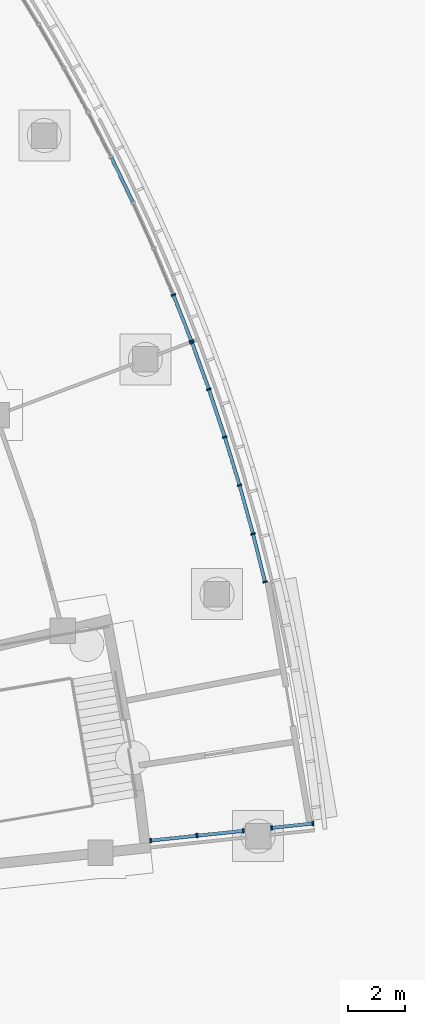
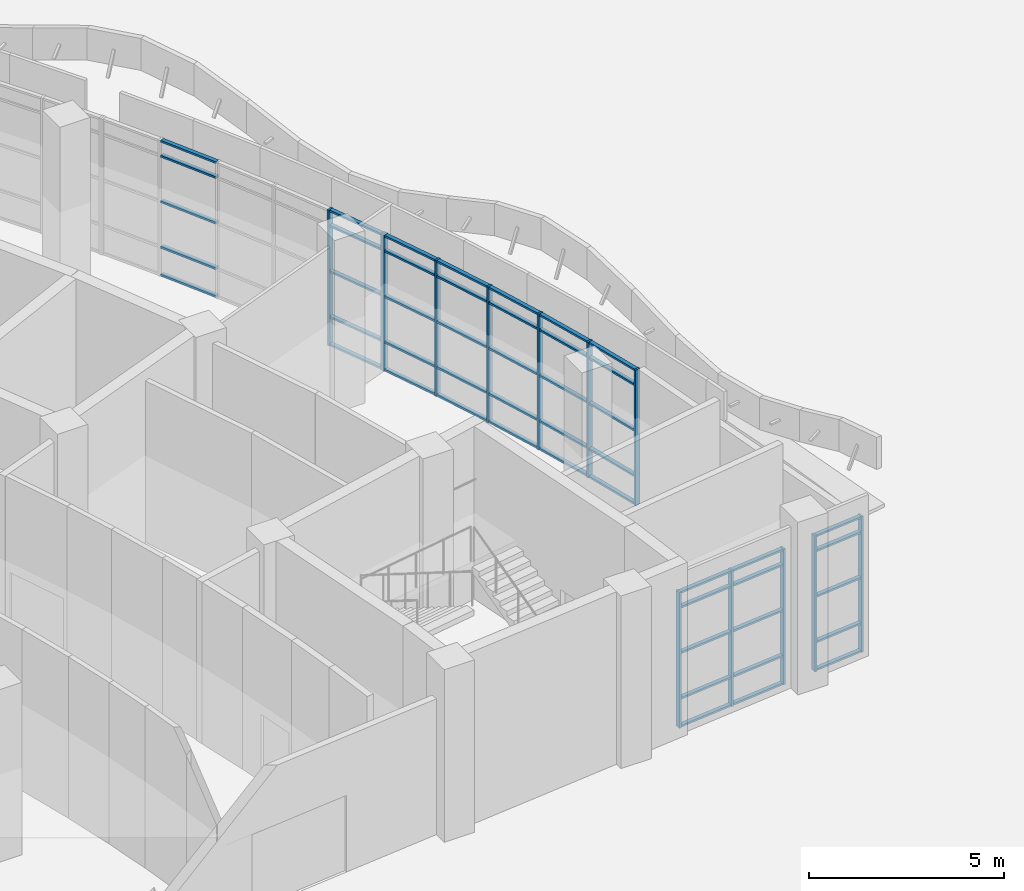
# One storey, part 33 of 146: 63 members, 4 elements without a shape of their own.
"""IFC4 building model written with IfcOpenShell, lengths in metres."""

import ifcopenshell
import ifcopenshell.guid

model = None  # the IFC model being written
_history = None  # IfcOwnerHistory: only IFC2X3 demands one
_inside = {}  # id of a spatial element -> (the spatial element, [elements in it])
_under = {}  # id of a project, library or spatial element -> (it, [spatial elements below it])
_declared = {}  # id of a project -> (the project, [libraries it declares])
_typed = {}  # id of a type object -> (the type object, [elements of that type])
_made_of = {}  # id of a material, layer set ... -> (it, [elements and type objects made of it])


def new_model(schema):
    """Start an empty IFC model of exactly this schema.

    Asked for "IFC4X3", IfcOpenShell would pick the latest addendum, in which some entities
    have other attributes; the version numbers below select the first issue.
    IFC2X3 requires an IfcOwnerHistory on every rooted entity: one is made here for all.
    """
    global model, _history
    if schema == "IFC4X3":
        model = ifcopenshell.file(schema_version=(4, 3, 0, 0))
    else:
        model = ifcopenshell.file(schema=schema)
    _inside.clear()
    _under.clear()
    _declared.clear()
    _typed.clear()
    _made_of.clear()
    _history = None
    if model.schema == "IFC2X3":
        org = make("IfcOrganization", Name="unknown")
        user = make(
            "IfcPersonAndOrganization",
            ThePerson=make("IfcPerson", FamilyName="unknown"),
            TheOrganization=org,
        )
        app = make(
            "IfcApplication",
            ApplicationDeveloper=org,
            Version="unknown",
            ApplicationFullName="unknown",
            ApplicationIdentifier="unknown",
        )
        _history = make(
            "IfcOwnerHistory",
            OwningUser=user,
            OwningApplication=app,
            ChangeAction="ADDED",
            CreationDate=0,
        )
    return model


def make(cls, **values):
    """One entity of the class cls with the attributes given. An attribute that is None is left unset."""
    return model.create_entity(
        cls, **{name: value for name, value in values.items() if value is not None}
    )


def rooted(cls, **values):
    """An entity with a GlobalId (a new one), such as an element, a storey or a relation."""
    return make(cls, GlobalId=ifcopenshell.guid.new(), OwnerHistory=_history, **values)


def si_unit(unit_type, name, prefix=None):
    """IfcSIUnit, for example si_unit("LENGTHUNIT", "METRE", prefix="MILLI")."""
    return make("IfcSIUnit", UnitType=unit_type, Prefix=prefix, Name=name)


def assignment(units):
    """IfcUnitAssignment: the units of a project."""
    return None if units is None else make("IfcUnitAssignment", Units=units)


def point(xyz):
    """IfcCartesianPoint."""
    return None if xyz is None else make("IfcCartesianPoint", Coordinates=xyz)


def direction(xyz):
    """IfcDirection."""
    return None if xyz is None else make("IfcDirection", DirectionRatios=xyz)


def frame(location, z_axis=None, x_axis=None):
    """IfcAxis2Placement3D, a coordinate frame: its origin and axes. An axis left out is left unset."""
    return make(
        "IfcAxis2Placement3D",
        Location=point(location),
        Axis=direction(z_axis),
        RefDirection=direction(x_axis),
    )


def frame_2d(location, x_axis=None):
    """IfcAxis2Placement2D, a coordinate frame in the plane: its origin and x axis."""
    return make(
        "IfcAxis2Placement2D", Location=point(location), RefDirection=direction(x_axis)
    )


def origin():
    """The frame at (0, 0, 0) with its axes left unset."""
    return frame((0.0, 0.0, 0.0))


def origin_2d():
    """The frame at (0, 0) in the plane with its x axis left unset."""
    return frame_2d((0.0, 0.0))


def place(relative_to, where):
    """IfcLocalPlacement: puts the frame where relative to a parent placement (None: the world)."""
    return make(
        "IfcLocalPlacement", PlacementRelTo=relative_to, RelativePlacement=where
    )


def context(
    kind, dimensions, precision=None, world=None, true_north=None, identifier=None
):
    """IfcGeometricRepresentationContext, for example the 3D "Model" context."""
    return make(
        "IfcGeometricRepresentationContext",
        ContextIdentifier=identifier,
        ContextType=kind,
        CoordinateSpaceDimension=dimensions,
        Precision=precision,
        WorldCoordinateSystem=world,
        TrueNorth=true_north,
    )


def subcontext(parent, identifier, kind, view, scale=None):
    """IfcGeometricRepresentationSubContext, for example "Body" below "Model"."""
    return make(
        "IfcGeometricRepresentationSubContext",
        ContextIdentifier=identifier,
        ContextType=kind,
        ParentContext=parent,
        TargetScale=scale,
        TargetView=view,
    )


def project(units=None, contexts=None):
    """IfcProject with its units and contexts."""
    return rooted(
        "IfcProject",
        Name="project",
        RepresentationContexts=contexts,
        UnitsInContext=assignment(units),
    )


def spatial(cls, under=None, at=None, **own):
    """A site, building, storey or space (cls), placed at a placement, below another one or the project."""
    s = rooted(cls, ObjectPlacement=at, **own)
    if under is not None:
        _under.setdefault(under.id(), (under, []))[1].append(s)
    return s


def profile(cls, at=None, kind="AREA", **sizes):
    """A parametric profile (cls). Its sizes go by their IFC names, for example OverallWidth=200.0."""
    return make(cls, ProfileType=kind, Position=at, **sizes)


def rectangle(**sizes):
    """IfcRectangleProfileDef."""
    return profile("IfcRectangleProfileDef", **sizes)


def extrude(swept, where, along, depth):
    """IfcExtrudedAreaSolid: the profile swept, set in the frame where, extruded along a direction by depth."""
    return make(
        "IfcExtrudedAreaSolid",
        SweptArea=swept,
        Position=where,
        ExtrudedDirection=direction(along),
        Depth=depth,
    )


def shape(context_of_items, identifier, shape_type, items):
    """IfcShapeRepresentation: the items that make up one representation, for example the "Body"."""
    return make(
        "IfcShapeRepresentation",
        ContextOfItems=context_of_items,
        RepresentationIdentifier=identifier,
        RepresentationType=shape_type,
        Items=items,
    )


def material(Name=None, Category=None):
    """IfcMaterial."""
    return make("IfcMaterial", Name=Name, Category=Category)


def material_profile(
    of_material, cross_section, Name=None, Category=None, Priority=None
):
    """IfcMaterialProfile: a cross section and its material."""
    return make(
        "IfcMaterialProfile",
        Name=Name,
        Material=of_material,
        Profile=cross_section,
        Priority=Priority,
        Category=Category,
    )


def profile_set(profiles, Name=None, composite=None):
    """IfcMaterialProfileSet."""
    return make(
        "IfcMaterialProfileSet",
        Name=Name,
        MaterialProfiles=profiles,
        CompositeProfile=composite,
    )


def made_of(thing, what):
    """Note that an element or type object is made of a material, layer set ...; save() writes the relation."""
    if what is not None:
        _made_of.setdefault(what.id(), (what, []))[1].append(thing)
    return thing


def type_object(cls, material=None, **own):
    """A type object (cls), such as IfcWallType, which elements share."""
    return made_of(rooted(cls, **own), material)


def element(
    cls,
    number,
    at=None,
    inside=None,
    cuts=None,
    type_object=None,
    material=None,
    context=None,
    identifier="Body",
    shape_type=None,
    held_by="IfcProductDefinitionShape",
    body=None,
    shapes=None,
    **own,
):
    """One element of the class cls, such as IfcWall. Its Tag is "e" and its number.

    at: its placement. inside: the storey or other place that contains it. cuts: it is an
    opening in that element (IfcRelVoidsElement). A single representation is given by context,
    identifier, shape_type and body (its items); several are given by shapes. held_by: the class
    of the entity that holds the representations. save() writes the other relations.
    """
    e = rooted(cls, Tag="e%d" % number, ObjectPlacement=at, **own)
    if body is not None:
        shapes = [shape(context, identifier, shape_type, body)]
    if shapes is not None:
        e.Representation = make(held_by, Representations=shapes)
    if inside is not None:
        _inside.setdefault(inside.id(), (inside, []))[1].append(e)
    if cuts is not None:
        rooted(
            "IfcRelVoidsElement", RelatingBuildingElement=cuts, RelatedOpeningElement=e
        )
    if type_object is not None:
        _typed.setdefault(type_object.id(), (type_object, []))[1].append(e)
    return made_of(e, material)


def aggregate(whole, parts):
    """IfcRelAggregates: a whole, such as a stair, and the parts it consists of."""
    return rooted("IfcRelAggregates", RelatingObject=whole, RelatedObjects=parts)


def save(model, path):
    """Write the relations noted so far, then the file.

    IfcRelAggregates (storeys below a building ...), IfcRelContainedInSpatialStructure (elements
    in a storey), IfcRelDefinesByType, IfcRelAssociatesMaterial and IfcRelDeclares: one each for
    every whole, place, type object, material and project.
    """
    for whole, parts in _under.values():
        aggregate(whole, parts)
    for where, things in _inside.values():
        rooted(
            "IfcRelContainedInSpatialStructure",
            RelatedElements=things,
            RelatingStructure=where,
        )
    for kind, things in _typed.values():
        rooted("IfcRelDefinesByType", RelatedObjects=things, RelatingType=kind)
    for what, things in _made_of.values():
        rooted("IfcRelAssociatesMaterial", RelatedObjects=things, RelatingMaterial=what)
    for by, libraries in _declared.values():
        rooted("IfcRelDeclares", RelatingContext=by, RelatedDefinitions=libraries)
    model.write(path)


model = new_model("IFC4")

# Units and contexts
model_context = context("Model", 3, precision=1e-05, world=origin(), true_north=direction((0.0, 1.0)))
body_context = subcontext(model_context, "Body", "Model", "MODEL_VIEW")
ifc_project = project(units=[si_unit("LENGTHUNIT", "METRE"), si_unit("AREAUNIT", "SQUARE_METRE"), si_unit("VOLUMEUNIT", "CUBIC_METRE"), si_unit("PLANEANGLEUNIT", "RADIAN"), si_unit("MASSUNIT", "GRAM", prefix="KILO")], contexts=[model_context])

# Site, building, storey
site_placement = place(None, origin())
site = spatial("IfcSite", under=ifc_project, at=site_placement, CompositionType="ELEMENT")
building_placement = place(site_placement, origin())
building = spatial("IfcBuilding", under=site, at=building_placement, Name="Bougainvillea Quay General Hospital", CompositionType="ELEMENT")
storey_placement = place(building_placement, origin())
storey = spatial("IfcBuildingStorey", under=building, at=storey_placement, Name="L00", CompositionType="ELEMENT", Elevation=0.0)

# Curtain wall, members
ifc_material_1 = material(Name="Aluminium curtain wall system, powder-coated glazed", Category="aluminium")
curtain_wall_type_1 = type_object("IfcCurtainWallType", Name="Unitised curtain wall CW-1678", PredefinedType="NOTDEFINED", material=ifc_material_1)
curtain_wall_1_placement = place(storey_placement, origin())
curtain_wall_1 = element("IfcCurtainWall", 1, at=curtain_wall_1_placement, inside=storey, type_object=curtain_wall_type_1, Name="CW-AE 04", PredefinedType="NOTDEFINED")
ifc_material_2 = material(Name="Aluminium mullion, powder-coated charcoal", Category="aluminium")
ifc_material_profile_1 = material_profile(ifc_material_2, rectangle(XDim=0.159912109375, YDim=0.06005859375, at=origin_2d()))
ifc_profile_set_1 = profile_set([ifc_material_profile_1], Name="Aluminium mullion, powder-coated charcoal")
member_type_1 = type_object("IfcMemberType", Name="Curtain wall mullion 160x60", PredefinedType="MULLION", material=ifc_profile_set_1)
member_1_placement = place(storey_placement, frame((173.027099609375, 28.9599609375, 0.0), z_axis=(0.0, 0.0, 1.0), x_axis=(-0.104527173765, 0.9945220309, 0.0)))
member_1 = element("IfcMember", 2, at=member_1_placement, type_object=member_type_1, Name="CW-AE mullion 1", PredefinedType="MULLION", context=body_context, shape_type="SweptSolid", body=[
    extrude(rectangle(XDim=0.159912109375, YDim=0.06005859375, at=origin_2d()), origin(), (0.0, 0.0, 1.0), 4.25),
])
member_2_placement = place(storey_placement, frame((174.665771484375, 29.132080078125, 0.0), z_axis=(0.0, 0.0, 1.0), x_axis=(-0.104527173765, 0.9945220309, 0.0)))
member_2 = element("IfcMember", 3, at=member_2_placement, type_object=member_type_1, Name="CW-AE mullion 2", PredefinedType="MULLION", context=body_context, shape_type="SweptSolid", body=[
    extrude(rectangle(XDim=0.159912109375, YDim=0.06005859375, at=origin_2d()), origin(), (0.0, 0.0, 1.0), 4.25),
])
member_3_placement = place(storey_placement, frame((176.30419921875, 29.30419921875, 0.0), z_axis=(0.0, 0.0, 1.0), x_axis=(-0.104527173765, 0.9945220309, 0.0)))
member_3 = element("IfcMember", 4, at=member_3_placement, type_object=member_type_1, Name="CW-AE mullion 3", PredefinedType="MULLION", context=body_context, shape_type="SweptSolid", body=[
    extrude(rectangle(XDim=0.159912109375, YDim=0.06005859375, at=origin_2d()), origin(), (0.0, 0.0, 1.0), 4.25),
])

curtain_wall_type_2 = type_object("IfcCurtainWallType", Name="Unitised curtain wall CW-1531", PredefinedType="NOTDEFINED", material=ifc_material_1)
curtain_wall_2_placement = place(storey_placement, origin())
curtain_wall_2 = element("IfcCurtainWall", 5, at=curtain_wall_2_placement, inside=storey, type_object=curtain_wall_type_2, Name="CW-AE 05", PredefinedType="NOTDEFINED")
member_4_placement = place(storey_placement, frame((177.298583984375, 29.40869140625, 0.0), z_axis=(0.0, 0.0, 1.0), x_axis=(-0.104527173765, 0.9945220309, 0.0)))
member_4 = element("IfcMember", 6, at=member_4_placement, type_object=member_type_1, Name="CW-AE mullion 1", PredefinedType="MULLION", context=body_context, shape_type="SweptSolid", body=[
    extrude(rectangle(XDim=0.159912109375, YDim=0.06005859375, at=origin_2d()), origin(), (0.0, 0.0, 1.0), 4.25),
])
member_5_placement = place(storey_placement, frame((178.760986328125, 29.5625, 0.0), z_axis=(0.0, 0.0, 1.0), x_axis=(-0.104527173765, 0.9945220309, 0.0)))
member_5 = element("IfcMember", 7, at=member_5_placement, type_object=member_type_1, Name="CW-AE mullion 2", PredefinedType="MULLION", context=body_context, shape_type="SweptSolid", body=[
    extrude(rectangle(XDim=0.159912109375, YDim=0.06005859375, at=origin_2d()), origin(), (0.0, 0.0, 1.0), 4.25),
])

curtain_wall_type_3 = type_object("IfcCurtainWallType", Name="Unitised curtain wall CW-2100", PredefinedType="NOTDEFINED", material=ifc_material_1)
curtain_wall_3_placement = place(storey_placement, origin())
curtain_wall_3 = element("IfcCurtainWall", 8, at=curtain_wall_3_placement, inside=storey, type_object=curtain_wall_type_3, Name="CW-E06 a23b5", PredefinedType="NOTDEFINED")
member_6_placement = place(storey_placement, frame((173.830078125, 48.23095703125, 0.0), z_axis=(0.0, 0.0, 1.0), x_axis=(0.926591654846, 0.376069016497, 0.0)))
member_6 = element("IfcMember", 9, at=member_6_placement, type_object=member_type_1, Name="CW-E06 mullion 5", PredefinedType="MULLION", context=body_context, shape_type="SweptSolid", body=[
    extrude(rectangle(XDim=0.159912109375, YDim=0.06005859375, at=origin_2d()), origin(), (0.0, 0.0, 1.0), 4.25),
])
member_7_placement = place(storey_placement, frame((174.4677734375, 46.60107421875, 0.0), z_axis=(0.0, 0.0, 1.0), x_axis=(0.931315406472, 0.364213692311, 0.0)))
member_7 = element("IfcMember", 10, at=member_7_placement, type_object=member_type_1, Name="CW-E06 mullion 6", PredefinedType="MULLION", context=body_context, shape_type="SweptSolid", body=[
    extrude(rectangle(XDim=0.159912109375, YDim=0.06005859375, at=origin_2d()), origin(), (0.0, 0.0, 1.0), 4.25),
])

curtain_wall_4_placement = place(storey_placement, origin())
curtain_wall_4 = element("IfcCurtainWall", 11, at=curtain_wall_4_placement, inside=storey, type_object=curtain_wall_type_3, Name="CW-E07 a23b6", PredefinedType="NOTDEFINED")
member_8_placement = place(storey_placement, frame((174.48876953125, 46.544921875, 0.0), z_axis=(0.0, 0.0, 1.0), x_axis=(0.940307135924, 0.340327034086, 0.0)))
member_8 = element("IfcMember", 12, at=member_8_placement, type_object=member_type_1, Name="CW-E07 mullion 1", PredefinedType="MULLION", context=body_context, shape_type="SweptSolid", body=[
    extrude(rectangle(XDim=0.159912109375, YDim=0.06005859375, at=origin_2d()), origin(), (0.0, 0.0, 1.0), 4.25),
])
member_9_placement = place(storey_placement, frame((175.08447265625, 44.899169921875, 0.0), z_axis=(0.0, 0.0, 1.0), x_axis=(0.944573649334, 0.328299590289, 0.0)))
member_9 = element("IfcMember", 13, at=member_9_placement, type_object=member_type_1, Name="CW-E07 mullion 2", PredefinedType="MULLION", context=body_context, shape_type="SweptSolid", body=[
    extrude(rectangle(XDim=0.159912109375, YDim=0.06005859375, at=origin_2d()), origin(), (0.0, 0.0, 1.0), 4.25),
])
member_10_placement = place(storey_placement, frame((175.6474609375, 43.210205078125, 0.0), z_axis=(0.0, 0.0, 1.0), x_axis=(0.952644499358, 0.304086267106, 0.0)))
member_10 = element("IfcMember", 14, at=member_10_placement, type_object=member_type_1, Name="CW-E07 mullion 3", PredefinedType="MULLION", context=body_context, shape_type="SweptSolid", body=[
    extrude(rectangle(XDim=0.159912109375, YDim=0.06005859375, at=origin_2d()), origin(), (0.0, 0.0, 1.0), 4.25),
])
member_11_placement = place(storey_placement, frame((176.1669921875, 41.507568359375, 0.0), z_axis=(0.0, 0.0, 1.0), x_axis=(0.960094774236, 0.27967485494, 0.0)))
member_11 = element("IfcMember", 15, at=member_11_placement, type_object=member_type_1, Name="CW-E07 mullion 4", PredefinedType="MULLION", context=body_context, shape_type="SweptSolid", body=[
    extrude(rectangle(XDim=0.159912109375, YDim=0.06005859375, at=origin_2d()), origin(), (0.0, 0.0, 1.0), 4.25),
])
member_12_placement = place(storey_placement, frame((176.64306640625, 39.7919921875, 0.0), z_axis=(0.0, 0.0, 1.0), x_axis=(0.966919620681, 0.255081255962, 0.0)))
member_12 = element("IfcMember", 16, at=member_12_placement, type_object=member_type_1, Name="CW-E07 mullion 5", PredefinedType="MULLION", context=body_context, shape_type="SweptSolid", body=[
    extrude(rectangle(XDim=0.159912109375, YDim=0.06005859375, at=origin_2d()), origin(), (0.0, 0.0, 1.0), 4.25),
])
member_13_placement = place(storey_placement, frame((177.06787109375, 38.09423828125, 0.0), z_axis=(0.0, 0.0, 1.0), x_axis=(0.970096102912, 0.242721138583, 0.0)))
member_13 = element("IfcMember", 17, at=member_13_placement, type_object=member_type_1, Name="CW-E07 mullion 6", PredefinedType="MULLION", context=body_context, shape_type="SweptSolid", body=[
    extrude(rectangle(XDim=0.159912109375, YDim=0.06005859375, at=origin_2d()), origin(), (0.0, 0.0, 1.0), 4.25),
])

# Member
ifc_material_3 = material(Name="Aluminium transom, powder-coated charcoal", Category="aluminium")
ifc_material_profile_2 = material_profile(ifc_material_3, rectangle(XDim=0.1201171875, YDim=0.06005859375, at=origin_2d()))
ifc_profile_set_2 = profile_set([ifc_material_profile_2], Name="Aluminium transom, powder-coated charcoal")
member_type_2 = type_object("IfcMemberType", Name="Curtain wall transom 120x60", PredefinedType="USERDEFINED", material=ifc_profile_set_2)
member_14_placement = place(storey_placement, frame((173.05712890625, 28.962890625, 0.030029296875), z_axis=(0.994515561612, 0.104588707377, 0.0), x_axis=(-0.104588707377, 0.994515561612, 0.0)))
member_14 = element("IfcMember", 18, at=member_14_placement, type_object=member_type_2, Name="CW-AE transom 1.1", ObjectType="TRANSOM", PredefinedType="USERDEFINED", context=body_context, shape_type="SweptSolid", body=[
    extrude(rectangle(XDim=0.1201171875, YDim=0.06005859375, at=origin_2d()), origin(), (0.0, 0.0, 1.0), 1.58740234375),
])

member_15_placement = place(storey_placement, frame((173.05712890625, 28.962890625, 0.89990234375), z_axis=(0.994515561612, 0.104588707377, 0.0), x_axis=(-0.104588707377, 0.994515561612, 0.0)))
member_15 = element("IfcMember", 19, at=member_15_placement, type_object=member_type_2, Name="CW-AE transom 1.2", ObjectType="TRANSOM", PredefinedType="USERDEFINED", context=body_context, shape_type="SweptSolid", body=[
    extrude(rectangle(XDim=0.1201171875, YDim=0.06005859375, at=origin_2d()), origin(), (0.0, 0.0, 1.0), 1.58740234375),
])

member_16_placement = place(storey_placement, frame((173.05712890625, 28.962890625, 2.324951171875), z_axis=(0.994515561612, 0.104588707377, 0.0), x_axis=(-0.104588707377, 0.994515561612, 0.0)))
member_16 = element("IfcMember", 20, at=member_16_placement, type_object=member_type_2, Name="CW-AE transom 1.3", ObjectType="TRANSOM", PredefinedType="USERDEFINED", context=body_context, shape_type="SweptSolid", body=[
    extrude(rectangle(XDim=0.1201171875, YDim=0.06005859375, at=origin_2d()), origin(), (0.0, 0.0, 1.0), 1.58740234375),
])

member_17_placement = place(storey_placement, frame((173.05712890625, 28.962890625, 3.75), z_axis=(0.994515561612, 0.104588707377, 0.0), x_axis=(-0.104588707377, 0.994515561612, 0.0)))
member_17 = element("IfcMember", 21, at=member_17_placement, type_object=member_type_2, Name="CW-AE transom 1.4", ObjectType="TRANSOM", PredefinedType="USERDEFINED", context=body_context, shape_type="SweptSolid", body=[
    extrude(rectangle(XDim=0.1201171875, YDim=0.06005859375, at=origin_2d()), origin(), (0.0, 0.0, 1.0), 1.58740234375),
])

member_18_placement = place(storey_placement, frame((173.05712890625, 28.962890625, 4.219970703125), z_axis=(0.994515561612, 0.104588707377, 0.0), x_axis=(-0.104588707377, 0.994515561612, 0.0)))
member_18 = element("IfcMember", 22, at=member_18_placement, type_object=member_type_2, Name="CW-AE transom 1.5", ObjectType="TRANSOM", PredefinedType="USERDEFINED", context=body_context, shape_type="SweptSolid", body=[
    extrude(rectangle(XDim=0.1201171875, YDim=0.06005859375, at=origin_2d()), origin(), (0.0, 0.0, 1.0), 1.58740234375),
])

member_19_placement = place(storey_placement, frame((174.695556640625, 29.13525390625, 0.030029296875), z_axis=(0.994533225691, 0.104420606192, 0.0), x_axis=(-0.104420606192, 0.994533225691, 0.0)))
member_19 = element("IfcMember", 23, at=member_19_placement, type_object=member_type_2, Name="CW-AE transom 2.1", ObjectType="TRANSOM", PredefinedType="USERDEFINED", context=body_context, shape_type="SweptSolid", body=[
    extrude(rectangle(XDim=0.1201171875, YDim=0.06005859375, at=origin_2d()), origin(), (0.0, 0.0, 1.0), 1.587646484375),
])

member_20_placement = place(storey_placement, frame((174.695556640625, 29.13525390625, 0.89990234375), z_axis=(0.994533225691, 0.104420606192, 0.0), x_axis=(-0.104420606192, 0.994533225691, 0.0)))
member_20 = element("IfcMember", 24, at=member_20_placement, type_object=member_type_2, Name="CW-AE transom 2.2", ObjectType="TRANSOM", PredefinedType="USERDEFINED", context=body_context, shape_type="SweptSolid", body=[
    extrude(rectangle(XDim=0.1201171875, YDim=0.06005859375, at=origin_2d()), origin(), (0.0, 0.0, 1.0), 1.587646484375),
])

member_21_placement = place(storey_placement, frame((174.695556640625, 29.13525390625, 2.324951171875), z_axis=(0.994533225691, 0.104420606192, 0.0), x_axis=(-0.104420606192, 0.994533225691, 0.0)))
member_21 = element("IfcMember", 25, at=member_21_placement, type_object=member_type_2, Name="CW-AE transom 2.3", ObjectType="TRANSOM", PredefinedType="USERDEFINED", context=body_context, shape_type="SweptSolid", body=[
    extrude(rectangle(XDim=0.1201171875, YDim=0.06005859375, at=origin_2d()), origin(), (0.0, 0.0, 1.0), 1.587646484375),
])

member_22_placement = place(storey_placement, frame((174.695556640625, 29.13525390625, 3.75), z_axis=(0.994533225691, 0.104420606192, 0.0), x_axis=(-0.104420606192, 0.994533225691, 0.0)))
member_22 = element("IfcMember", 26, at=member_22_placement, type_object=member_type_2, Name="CW-AE transom 2.4", ObjectType="TRANSOM", PredefinedType="USERDEFINED", context=body_context, shape_type="SweptSolid", body=[
    extrude(rectangle(XDim=0.1201171875, YDim=0.06005859375, at=origin_2d()), origin(), (0.0, 0.0, 1.0), 1.587646484375),
])

member_23_placement = place(storey_placement, frame((174.695556640625, 29.13525390625, 4.219970703125), z_axis=(0.994533225691, 0.104420606192, 0.0), x_axis=(-0.104420606192, 0.994533225691, 0.0)))
member_23 = element("IfcMember", 27, at=member_23_placement, type_object=member_type_2, Name="CW-AE transom 2.5", ObjectType="TRANSOM", PredefinedType="USERDEFINED", context=body_context, shape_type="SweptSolid", body=[
    extrude(rectangle(XDim=0.1201171875, YDim=0.06005859375, at=origin_2d()), origin(), (0.0, 0.0, 1.0), 1.587646484375),
])

aggregate(curtain_wall_1, [member_1, member_2, member_3, member_14, member_15, member_16, member_17, member_18, member_19, member_20, member_21, member_22, member_23])

member_24_placement = place(storey_placement, frame((177.32861328125, 29.411865234375, 0.030029296875), z_axis=(0.994518724615, 0.104558626574, 0.0), x_axis=(-0.104558626574, 0.994518724615, 0.0)))
member_24 = element("IfcMember", 28, at=member_24_placement, type_object=member_type_2, Name="CW-AE transom 1.1", ObjectType="TRANSOM", PredefinedType="USERDEFINED", context=body_context, shape_type="SweptSolid", body=[
    extrude(rectangle(XDim=0.1201171875, YDim=0.06005859375, at=origin_2d()), origin(), (0.0, 0.0, 1.0), 1.410400390625),
])

member_25_placement = place(storey_placement, frame((177.32861328125, 29.411865234375, 0.89990234375), z_axis=(0.994518724615, 0.104558626574, 0.0), x_axis=(-0.104558626574, 0.994518724615, 0.0)))
member_25 = element("IfcMember", 29, at=member_25_placement, type_object=member_type_2, Name="CW-AE transom 1.2", ObjectType="TRANSOM", PredefinedType="USERDEFINED", context=body_context, shape_type="SweptSolid", body=[
    extrude(rectangle(XDim=0.1201171875, YDim=0.06005859375, at=origin_2d()), origin(), (0.0, 0.0, 1.0), 1.410400390625),
])

member_26_placement = place(storey_placement, frame((177.32861328125, 29.411865234375, 2.324951171875), z_axis=(0.994518724615, 0.104558626574, 0.0), x_axis=(-0.104558626574, 0.994518724615, 0.0)))
member_26 = element("IfcMember", 30, at=member_26_placement, type_object=member_type_2, Name="CW-AE transom 1.3", ObjectType="TRANSOM", PredefinedType="USERDEFINED", context=body_context, shape_type="SweptSolid", body=[
    extrude(rectangle(XDim=0.1201171875, YDim=0.06005859375, at=origin_2d()), origin(), (0.0, 0.0, 1.0), 1.410400390625),
])

member_27_placement = place(storey_placement, frame((177.32861328125, 29.411865234375, 3.75), z_axis=(0.994518724615, 0.104558626574, 0.0), x_axis=(-0.104558626574, 0.994518724615, 0.0)))
member_27 = element("IfcMember", 31, at=member_27_placement, type_object=member_type_2, Name="CW-AE transom 1.4", ObjectType="TRANSOM", PredefinedType="USERDEFINED", context=body_context, shape_type="SweptSolid", body=[
    extrude(rectangle(XDim=0.1201171875, YDim=0.06005859375, at=origin_2d()), origin(), (0.0, 0.0, 1.0), 1.410400390625),
])

member_28_placement = place(storey_placement, frame((177.32861328125, 29.411865234375, 4.219970703125), z_axis=(0.994518724615, 0.104558626574, 0.0), x_axis=(-0.104558626574, 0.994518724615, 0.0)))
member_28 = element("IfcMember", 32, at=member_28_placement, type_object=member_type_2, Name="CW-AE transom 1.5", ObjectType="TRANSOM", PredefinedType="USERDEFINED", context=body_context, shape_type="SweptSolid", body=[
    extrude(rectangle(XDim=0.1201171875, YDim=0.06005859375, at=origin_2d()), origin(), (0.0, 0.0, 1.0), 1.410400390625),
])

aggregate(curtain_wall_2, [member_4, member_5, member_24, member_25, member_26, member_27, member_28])

member_29_placement = place(storey_placement, frame((171.647216796875, 53.071044921875, 0.030029296875), z_axis=(0.434451356132, -0.90069529762, 0.0), x_axis=(0.90069529762, 0.434451356132, 0.0)))
member_29 = element("IfcMember", 33, at=member_29_placement, type_object=member_type_2, Name="CW-E06 transom 2.1", ObjectType="TRANSOM", PredefinedType="USERDEFINED", context=body_context, shape_type="SweptSolid", body=[
    extrude(rectangle(XDim=0.1201171875, YDim=0.06005859375, at=origin_2d()), origin(), (0.0, 0.0, 1.0), 1.72021484375),
])

member_30_placement = place(storey_placement, frame((171.647216796875, 53.071044921875, 0.89990234375), z_axis=(0.434451356132, -0.90069529762, 0.0), x_axis=(0.90069529762, 0.434451356132, 0.0)))
member_30 = element("IfcMember", 34, at=member_30_placement, type_object=member_type_2, Name="CW-E06 transom 2.2", ObjectType="TRANSOM", PredefinedType="USERDEFINED", context=body_context, shape_type="SweptSolid", body=[
    extrude(rectangle(XDim=0.1201171875, YDim=0.06005859375, at=origin_2d()), origin(), (0.0, 0.0, 1.0), 1.72021484375),
])

member_31_placement = place(storey_placement, frame((171.647216796875, 53.071044921875, 2.324951171875), z_axis=(0.434451356132, -0.90069529762, 0.0), x_axis=(0.90069529762, 0.434451356132, 0.0)))
member_31 = element("IfcMember", 35, at=member_31_placement, type_object=member_type_2, Name="CW-E06 transom 2.3", ObjectType="TRANSOM", PredefinedType="USERDEFINED", context=body_context, shape_type="SweptSolid", body=[
    extrude(rectangle(XDim=0.1201171875, YDim=0.06005859375, at=origin_2d()), origin(), (0.0, 0.0, 1.0), 1.72021484375),
])

member_32_placement = place(storey_placement, frame((171.647216796875, 53.071044921875, 3.75), z_axis=(0.434451356132, -0.90069529762, 0.0), x_axis=(0.90069529762, 0.434451356132, 0.0)))
member_32 = element("IfcMember", 36, at=member_32_placement, type_object=member_type_2, Name="CW-E06 transom 2.4", ObjectType="TRANSOM", PredefinedType="USERDEFINED", context=body_context, shape_type="SweptSolid", body=[
    extrude(rectangle(XDim=0.1201171875, YDim=0.06005859375, at=origin_2d()), origin(), (0.0, 0.0, 1.0), 1.72021484375),
])

member_33_placement = place(storey_placement, frame((171.647216796875, 53.071044921875, 4.219970703125), z_axis=(0.434451356132, -0.90069529762, 0.0), x_axis=(0.90069529762, 0.434451356132, 0.0)))
member_33 = element("IfcMember", 37, at=member_33_placement, type_object=member_type_2, Name="CW-E06 transom 2.5", ObjectType="TRANSOM", PredefinedType="USERDEFINED", context=body_context, shape_type="SweptSolid", body=[
    extrude(rectangle(XDim=0.1201171875, YDim=0.06005859375, at=origin_2d()), origin(), (0.0, 0.0, 1.0), 1.72021484375),
])

member_34_placement = place(storey_placement, frame((173.841064453125, 48.203125, 0.030029296875), z_axis=(0.364257753557, -0.931298174042, 0.0), x_axis=(0.931298174042, 0.364257753557, 0.0)))
member_34 = element("IfcMember", 38, at=member_34_placement, type_object=member_type_2, Name="CW-E06 transom 5.1", ObjectType="TRANSOM", PredefinedType="USERDEFINED", context=body_context, shape_type="SweptSolid", body=[
    extrude(rectangle(XDim=0.1201171875, YDim=0.06005859375, at=origin_2d()), origin(), (0.0, 0.0, 1.0), 1.6904296875),
])

member_35_placement = place(storey_placement, frame((173.841064453125, 48.203125, 0.89990234375), z_axis=(0.364257753557, -0.931298174042, 0.0), x_axis=(0.931298174042, 0.364257753557, 0.0)))
member_35 = element("IfcMember", 39, at=member_35_placement, type_object=member_type_2, Name="CW-E06 transom 5.2", ObjectType="TRANSOM", PredefinedType="USERDEFINED", context=body_context, shape_type="SweptSolid", body=[
    extrude(rectangle(XDim=0.1201171875, YDim=0.06005859375, at=origin_2d()), origin(), (0.0, 0.0, 1.0), 1.6904296875),
])

member_36_placement = place(storey_placement, frame((173.841064453125, 48.203125, 2.324951171875), z_axis=(0.364257753557, -0.931298174042, 0.0), x_axis=(0.931298174042, 0.364257753557, 0.0)))
member_36 = element("IfcMember", 40, at=member_36_placement, type_object=member_type_2, Name="CW-E06 transom 5.3", ObjectType="TRANSOM", PredefinedType="USERDEFINED", context=body_context, shape_type="SweptSolid", body=[
    extrude(rectangle(XDim=0.1201171875, YDim=0.06005859375, at=origin_2d()), origin(), (0.0, 0.0, 1.0), 1.6904296875),
])

member_37_placement = place(storey_placement, frame((173.841064453125, 48.203125, 3.75), z_axis=(0.364257753557, -0.931298174042, 0.0), x_axis=(0.931298174042, 0.364257753557, 0.0)))
member_37 = element("IfcMember", 41, at=member_37_placement, type_object=member_type_2, Name="CW-E06 transom 5.4", ObjectType="TRANSOM", PredefinedType="USERDEFINED", context=body_context, shape_type="SweptSolid", body=[
    extrude(rectangle(XDim=0.1201171875, YDim=0.06005859375, at=origin_2d()), origin(), (0.0, 0.0, 1.0), 1.6904296875),
])

member_38_placement = place(storey_placement, frame((173.841064453125, 48.203125, 4.219970703125), z_axis=(0.364257753557, -0.931298174042, 0.0), x_axis=(0.931298174042, 0.364257753557, 0.0)))
member_38 = element("IfcMember", 42, at=member_38_placement, type_object=member_type_2, Name="CW-E06 transom 5.5", ObjectType="TRANSOM", PredefinedType="USERDEFINED", context=body_context, shape_type="SweptSolid", body=[
    extrude(rectangle(XDim=0.1201171875, YDim=0.06005859375, at=origin_2d()), origin(), (0.0, 0.0, 1.0), 1.6904296875),
])

aggregate(curtain_wall_3, [member_6, member_7, member_29, member_30, member_31, member_32, member_33, member_34, member_35, member_36, member_37, member_38])

member_39_placement = place(storey_placement, frame((174.4990234375, 46.5166015625, 0.030029296875), z_axis=(0.340304572201, -0.940315265291, 0.0), x_axis=(0.940315265291, 0.340304572201, 0.0)))
member_39 = element("IfcMember", 43, at=member_39_placement, type_object=member_type_2, Name="CW-E07 transom 1.1", ObjectType="TRANSOM", PredefinedType="USERDEFINED", context=body_context, shape_type="SweptSolid", body=[
    extrude(rectangle(XDim=0.1201171875, YDim=0.06005859375, at=origin_2d()), origin(), (0.0, 0.0, 1.0), 1.690185546875),
])

member_40_placement = place(storey_placement, frame((174.4990234375, 46.5166015625, 0.89990234375), z_axis=(0.340304572201, -0.940315265291, 0.0), x_axis=(0.940315265291, 0.340304572201, 0.0)))
member_40 = element("IfcMember", 44, at=member_40_placement, type_object=member_type_2, Name="CW-E07 transom 1.2", ObjectType="TRANSOM", PredefinedType="USERDEFINED", context=body_context, shape_type="SweptSolid", body=[
    extrude(rectangle(XDim=0.1201171875, YDim=0.06005859375, at=origin_2d()), origin(), (0.0, 0.0, 1.0), 1.690185546875),
])

member_41_placement = place(storey_placement, frame((174.4990234375, 46.5166015625, 2.324951171875), z_axis=(0.340304572201, -0.940315265291, 0.0), x_axis=(0.940315265291, 0.340304572201, 0.0)))
member_41 = element("IfcMember", 45, at=member_41_placement, type_object=member_type_2, Name="CW-E07 transom 1.3", ObjectType="TRANSOM", PredefinedType="USERDEFINED", context=body_context, shape_type="SweptSolid", body=[
    extrude(rectangle(XDim=0.1201171875, YDim=0.06005859375, at=origin_2d()), origin(), (0.0, 0.0, 1.0), 1.690185546875),
])

member_42_placement = place(storey_placement, frame((174.4990234375, 46.5166015625, 3.75), z_axis=(0.340304572201, -0.940315265291, 0.0), x_axis=(0.940315265291, 0.340304572201, 0.0)))
member_42 = element("IfcMember", 46, at=member_42_placement, type_object=member_type_2, Name="CW-E07 transom 1.4", ObjectType="TRANSOM", PredefinedType="USERDEFINED", context=body_context, shape_type="SweptSolid", body=[
    extrude(rectangle(XDim=0.1201171875, YDim=0.06005859375, at=origin_2d()), origin(), (0.0, 0.0, 1.0), 1.690185546875),
])

member_43_placement = place(storey_placement, frame((174.4990234375, 46.5166015625, 4.219970703125), z_axis=(0.340304572201, -0.940315265291, 0.0), x_axis=(0.940315265291, 0.340304572201, 0.0)))
member_43 = element("IfcMember", 47, at=member_43_placement, type_object=member_type_2, Name="CW-E07 transom 1.5", ObjectType="TRANSOM", PredefinedType="USERDEFINED", context=body_context, shape_type="SweptSolid", body=[
    extrude(rectangle(XDim=0.1201171875, YDim=0.06005859375, at=origin_2d()), origin(), (0.0, 0.0, 1.0), 1.690185546875),
])

member_44_placement = place(storey_placement, frame((175.093994140625, 44.87060546875, 0.030029296875), z_axis=(0.316185191391, -0.948697488531, 0.0), x_axis=(0.948697488531, 0.316185191391, 0.0)))
member_44 = element("IfcMember", 48, at=member_44_placement, type_object=member_type_2, Name="CW-E07 transom 2.1", ObjectType="TRANSOM", PredefinedType="USERDEFINED", context=body_context, shape_type="SweptSolid", body=[
    extrude(rectangle(XDim=0.1201171875, YDim=0.06005859375, at=origin_2d()), origin(), (0.0, 0.0, 1.0), 1.720458984375),
])

member_45_placement = place(storey_placement, frame((175.093994140625, 44.87060546875, 0.89990234375), z_axis=(0.316185191391, -0.948697488531, 0.0), x_axis=(0.948697488531, 0.316185191391, 0.0)))
member_45 = element("IfcMember", 49, at=member_45_placement, type_object=member_type_2, Name="CW-E07 transom 2.2", ObjectType="TRANSOM", PredefinedType="USERDEFINED", context=body_context, shape_type="SweptSolid", body=[
    extrude(rectangle(XDim=0.1201171875, YDim=0.06005859375, at=origin_2d()), origin(), (0.0, 0.0, 1.0), 1.720458984375),
])

member_46_placement = place(storey_placement, frame((175.093994140625, 44.87060546875, 2.324951171875), z_axis=(0.316185191391, -0.948697488531, 0.0), x_axis=(0.948697488531, 0.316185191391, 0.0)))
member_46 = element("IfcMember", 50, at=member_46_placement, type_object=member_type_2, Name="CW-E07 transom 2.3", ObjectType="TRANSOM", PredefinedType="USERDEFINED", context=body_context, shape_type="SweptSolid", body=[
    extrude(rectangle(XDim=0.1201171875, YDim=0.06005859375, at=origin_2d()), origin(), (0.0, 0.0, 1.0), 1.720458984375),
])

member_47_placement = place(storey_placement, frame((175.093994140625, 44.87060546875, 3.75), z_axis=(0.316185191391, -0.948697488531, 0.0), x_axis=(0.948697488531, 0.316185191391, 0.0)))
member_47 = element("IfcMember", 51, at=member_47_placement, type_object=member_type_2, Name="CW-E07 transom 2.4", ObjectType="TRANSOM", PredefinedType="USERDEFINED", context=body_context, shape_type="SweptSolid", body=[
    extrude(rectangle(XDim=0.1201171875, YDim=0.06005859375, at=origin_2d()), origin(), (0.0, 0.0, 1.0), 1.720458984375),
])

member_48_placement = place(storey_placement, frame((175.093994140625, 44.87060546875, 4.219970703125), z_axis=(0.316185191391, -0.948697488531, 0.0), x_axis=(0.948697488531, 0.316185191391, 0.0)))
member_48 = element("IfcMember", 52, at=member_48_placement, type_object=member_type_2, Name="CW-E07 transom 2.5", ObjectType="TRANSOM", PredefinedType="USERDEFINED", context=body_context, shape_type="SweptSolid", body=[
    extrude(rectangle(XDim=0.1201171875, YDim=0.06005859375, at=origin_2d()), origin(), (0.0, 0.0, 1.0), 1.720458984375),
])

member_49_placement = place(storey_placement, frame((175.65625, 43.181396484375, 0.030029296875), z_axis=(0.29181104464, -0.956475987271, 0.0), x_axis=(0.956475987271, 0.29181104464, 0.0)))
member_49 = element("IfcMember", 53, at=member_49_placement, type_object=member_type_2, Name="CW-E07 transom 3.1", ObjectType="TRANSOM", PredefinedType="USERDEFINED", context=body_context, shape_type="SweptSolid", body=[
    extrude(rectangle(XDim=0.1201171875, YDim=0.06005859375, at=origin_2d()), origin(), (0.0, 0.0, 1.0), 1.72021484375),
])

member_50_placement = place(storey_placement, frame((175.65625, 43.181396484375, 0.89990234375), z_axis=(0.29181104464, -0.956475987271, 0.0), x_axis=(0.956475987271, 0.29181104464, 0.0)))
member_50 = element("IfcMember", 54, at=member_50_placement, type_object=member_type_2, Name="CW-E07 transom 3.2", ObjectType="TRANSOM", PredefinedType="USERDEFINED", context=body_context, shape_type="SweptSolid", body=[
    extrude(rectangle(XDim=0.1201171875, YDim=0.06005859375, at=origin_2d()), origin(), (0.0, 0.0, 1.0), 1.72021484375),
])

member_51_placement = place(storey_placement, frame((175.65625, 43.181396484375, 2.324951171875), z_axis=(0.29181104464, -0.956475987271, 0.0), x_axis=(0.956475987271, 0.29181104464, 0.0)))
member_51 = element("IfcMember", 55, at=member_51_placement, type_object=member_type_2, Name="CW-E07 transom 3.3", ObjectType="TRANSOM", PredefinedType="USERDEFINED", context=body_context, shape_type="SweptSolid", body=[
    extrude(rectangle(XDim=0.1201171875, YDim=0.06005859375, at=origin_2d()), origin(), (0.0, 0.0, 1.0), 1.72021484375),
])

member_52_placement = place(storey_placement, frame((175.65625, 43.181396484375, 3.75), z_axis=(0.29181104464, -0.956475987271, 0.0), x_axis=(0.956475987271, 0.29181104464, 0.0)))
member_52 = element("IfcMember", 56, at=member_52_placement, type_object=member_type_2, Name="CW-E07 transom 3.4", ObjectType="TRANSOM", PredefinedType="USERDEFINED", context=body_context, shape_type="SweptSolid", body=[
    extrude(rectangle(XDim=0.1201171875, YDim=0.06005859375, at=origin_2d()), origin(), (0.0, 0.0, 1.0), 1.72021484375),
])

member_53_placement = place(storey_placement, frame((175.65625, 43.181396484375, 4.219970703125), z_axis=(0.29181104464, -0.956475987271, 0.0), x_axis=(0.956475987271, 0.29181104464, 0.0)))
member_53 = element("IfcMember", 57, at=member_53_placement, type_object=member_type_2, Name="CW-E07 transom 3.5", ObjectType="TRANSOM", PredefinedType="USERDEFINED", context=body_context, shape_type="SweptSolid", body=[
    extrude(rectangle(XDim=0.1201171875, YDim=0.06005859375, at=origin_2d()), origin(), (0.0, 0.0, 1.0), 1.72021484375),
])

member_54_placement = place(storey_placement, frame((176.175048828125, 41.478515625, 0.030029296875), z_axis=(0.267402284132, -0.96358498247, 0.0), x_axis=(0.96358498247, 0.267402284132, 0.0)))
member_54 = element("IfcMember", 58, at=member_54_placement, type_object=member_type_2, Name="CW-E07 transom 4.1", ObjectType="TRANSOM", PredefinedType="USERDEFINED", context=body_context, shape_type="SweptSolid", body=[
    extrude(rectangle(XDim=0.1201171875, YDim=0.06005859375, at=origin_2d()), origin(), (0.0, 0.0, 1.0), 1.72021484375),
])

member_55_placement = place(storey_placement, frame((176.175048828125, 41.478515625, 0.89990234375), z_axis=(0.267402284132, -0.96358498247, 0.0), x_axis=(0.96358498247, 0.267402284132, 0.0)))
member_55 = element("IfcMember", 59, at=member_55_placement, type_object=member_type_2, Name="CW-E07 transom 4.2", ObjectType="TRANSOM", PredefinedType="USERDEFINED", context=body_context, shape_type="SweptSolid", body=[
    extrude(rectangle(XDim=0.1201171875, YDim=0.06005859375, at=origin_2d()), origin(), (0.0, 0.0, 1.0), 1.72021484375),
])

member_56_placement = place(storey_placement, frame((176.175048828125, 41.478515625, 2.324951171875), z_axis=(0.267402284132, -0.96358498247, 0.0), x_axis=(0.96358498247, 0.267402284132, 0.0)))
member_56 = element("IfcMember", 60, at=member_56_placement, type_object=member_type_2, Name="CW-E07 transom 4.3", ObjectType="TRANSOM", PredefinedType="USERDEFINED", context=body_context, shape_type="SweptSolid", body=[
    extrude(rectangle(XDim=0.1201171875, YDim=0.06005859375, at=origin_2d()), origin(), (0.0, 0.0, 1.0), 1.72021484375),
])

member_57_placement = place(storey_placement, frame((176.175048828125, 41.478515625, 3.75), z_axis=(0.267402284132, -0.96358498247, 0.0), x_axis=(0.96358498247, 0.267402284132, 0.0)))
member_57 = element("IfcMember", 61, at=member_57_placement, type_object=member_type_2, Name="CW-E07 transom 4.4", ObjectType="TRANSOM", PredefinedType="USERDEFINED", context=body_context, shape_type="SweptSolid", body=[
    extrude(rectangle(XDim=0.1201171875, YDim=0.06005859375, at=origin_2d()), origin(), (0.0, 0.0, 1.0), 1.72021484375),
])

member_58_placement = place(storey_placement, frame((176.175048828125, 41.478515625, 4.219970703125), z_axis=(0.267402284132, -0.96358498247, 0.0), x_axis=(0.96358498247, 0.267402284132, 0.0)))
member_58 = element("IfcMember", 62, at=member_58_placement, type_object=member_type_2, Name="CW-E07 transom 4.5", ObjectType="TRANSOM", PredefinedType="USERDEFINED", context=body_context, shape_type="SweptSolid", body=[
    extrude(rectangle(XDim=0.1201171875, YDim=0.06005859375, at=origin_2d()), origin(), (0.0, 0.0, 1.0), 1.72021484375),
])

member_59_placement = place(storey_placement, frame((176.650390625, 39.762939453125, 0.030029296875), z_axis=(0.242671573116, -0.970108503004, 0.0), x_axis=(0.970108503004, 0.242671573116, 0.0)))
member_59 = element("IfcMember", 63, at=member_59_placement, type_object=member_type_2, Name="CW-E07 transom 5.1", ObjectType="TRANSOM", PredefinedType="USERDEFINED", context=body_context, shape_type="SweptSolid", body=[
    extrude(rectangle(XDim=0.1201171875, YDim=0.06005859375, at=origin_2d()), origin(), (0.0, 0.0, 1.0), 1.690185546875),
])

member_60_placement = place(storey_placement, frame((176.650390625, 39.762939453125, 0.89990234375), z_axis=(0.242671573116, -0.970108503004, 0.0), x_axis=(0.970108503004, 0.242671573116, 0.0)))
member_60 = element("IfcMember", 64, at=member_60_placement, type_object=member_type_2, Name="CW-E07 transom 5.2", ObjectType="TRANSOM", PredefinedType="USERDEFINED", context=body_context, shape_type="SweptSolid", body=[
    extrude(rectangle(XDim=0.1201171875, YDim=0.06005859375, at=origin_2d()), origin(), (0.0, 0.0, 1.0), 1.690185546875),
])

member_61_placement = place(storey_placement, frame((176.650390625, 39.762939453125, 2.324951171875), z_axis=(0.242671573116, -0.970108503004, 0.0), x_axis=(0.970108503004, 0.242671573116, 0.0)))
member_61 = element("IfcMember", 65, at=member_61_placement, type_object=member_type_2, Name="CW-E07 transom 5.3", ObjectType="TRANSOM", PredefinedType="USERDEFINED", context=body_context, shape_type="SweptSolid", body=[
    extrude(rectangle(XDim=0.1201171875, YDim=0.06005859375, at=origin_2d()), origin(), (0.0, 0.0, 1.0), 1.690185546875),
])

member_62_placement = place(storey_placement, frame((176.650390625, 39.762939453125, 3.75), z_axis=(0.242671573116, -0.970108503004, 0.0), x_axis=(0.970108503004, 0.242671573116, 0.0)))
member_62 = element("IfcMember", 66, at=member_62_placement, type_object=member_type_2, Name="CW-E07 transom 5.4", ObjectType="TRANSOM", PredefinedType="USERDEFINED", context=body_context, shape_type="SweptSolid", body=[
    extrude(rectangle(XDim=0.1201171875, YDim=0.06005859375, at=origin_2d()), origin(), (0.0, 0.0, 1.0), 1.690185546875),
])

member_63_placement = place(storey_placement, frame((176.650390625, 39.762939453125, 4.219970703125), z_axis=(0.242671573116, -0.970108503004, 0.0), x_axis=(0.970108503004, 0.242671573116, 0.0)))
member_63 = element("IfcMember", 67, at=member_63_placement, type_object=member_type_2, Name="CW-E07 transom 5.5", ObjectType="TRANSOM", PredefinedType="USERDEFINED", context=body_context, shape_type="SweptSolid", body=[
    extrude(rectangle(XDim=0.1201171875, YDim=0.06005859375, at=origin_2d()), origin(), (0.0, 0.0, 1.0), 1.690185546875),
])

aggregate(curtain_wall_4, [member_8, member_9, member_10, member_11, member_12, member_13, member_39, member_40, member_41, member_42, member_43, member_44, member_45, member_46, member_47, member_48, member_49, member_50, member_51, member_52, member_53, member_54, member_55, member_56, member_57, member_58, member_59, member_60, member_61, member_62, member_63])

save(model, "model.ifc")
